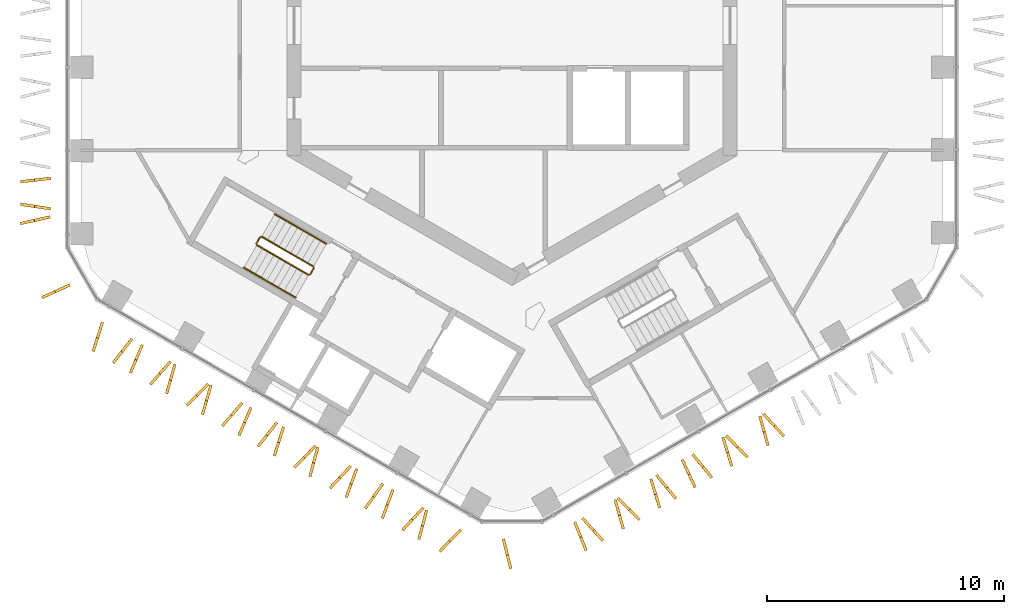
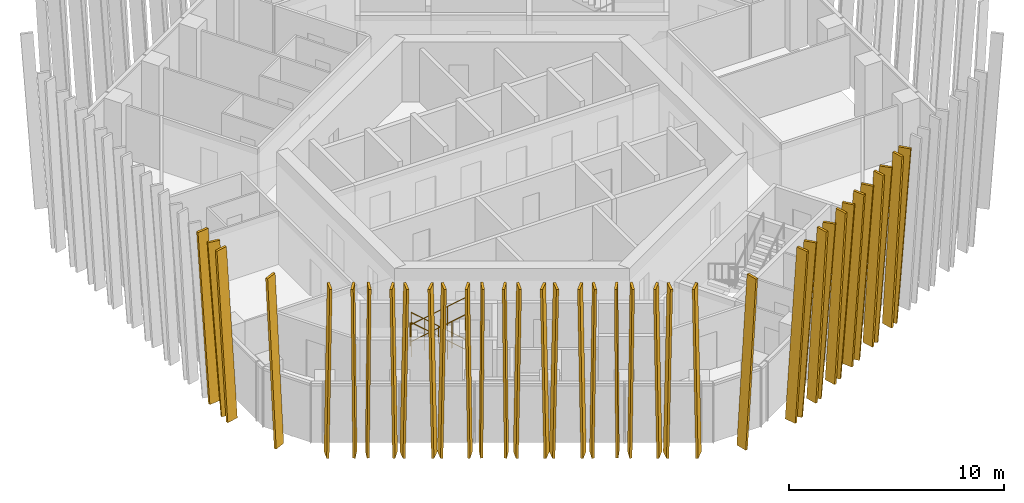
# One storey, part 18 of 21: 37 shading devices, 8 railings.
"""IFC4 building model written with IfcOpenShell, lengths in metres."""

import ifcopenshell
import ifcopenshell.guid

model = None  # the IFC model being written
_history = None  # IfcOwnerHistory: only IFC2X3 demands one
_inside = {}  # id of a spatial element -> (the spatial element, [elements in it])
_under = {}  # id of a project, library or spatial element -> (it, [spatial elements below it])
_declared = {}  # id of a project -> (the project, [libraries it declares])
_typed = {}  # id of a type object -> (the type object, [elements of that type])
_made_of = {}  # id of a material, layer set ... -> (it, [elements and type objects made of it])


def new_model(schema):
    """Start an empty IFC model of exactly this schema.

    Asked for "IFC4X3", IfcOpenShell would pick the latest addendum, in which some entities
    have other attributes; the version numbers below select the first issue.
    IFC2X3 requires an IfcOwnerHistory on every rooted entity: one is made here for all.
    """
    global model, _history
    if schema == "IFC4X3":
        model = ifcopenshell.file(schema_version=(4, 3, 0, 0))
    else:
        model = ifcopenshell.file(schema=schema)
    _inside.clear()
    _under.clear()
    _declared.clear()
    _typed.clear()
    _made_of.clear()
    _history = None
    if model.schema == "IFC2X3":
        org = make("IfcOrganization", Name="unknown")
        user = make(
            "IfcPersonAndOrganization",
            ThePerson=make("IfcPerson", FamilyName="unknown"),
            TheOrganization=org,
        )
        app = make(
            "IfcApplication",
            ApplicationDeveloper=org,
            Version="unknown",
            ApplicationFullName="unknown",
            ApplicationIdentifier="unknown",
        )
        _history = make(
            "IfcOwnerHistory",
            OwningUser=user,
            OwningApplication=app,
            ChangeAction="ADDED",
            CreationDate=0,
        )
    return model


def make(cls, **values):
    """One entity of the class cls with the attributes given. An attribute that is None is left unset."""
    return model.create_entity(
        cls, **{name: value for name, value in values.items() if value is not None}
    )


def rooted(cls, **values):
    """An entity with a GlobalId (a new one), such as an element, a storey or a relation."""
    return make(cls, GlobalId=ifcopenshell.guid.new(), OwnerHistory=_history, **values)


def si_unit(unit_type, name, prefix=None):
    """IfcSIUnit, for example si_unit("LENGTHUNIT", "METRE", prefix="MILLI")."""
    return make("IfcSIUnit", UnitType=unit_type, Prefix=prefix, Name=name)


def assignment(units):
    """IfcUnitAssignment: the units of a project."""
    return None if units is None else make("IfcUnitAssignment", Units=units)


def point(xyz):
    """IfcCartesianPoint."""
    return None if xyz is None else make("IfcCartesianPoint", Coordinates=xyz)


def direction(xyz):
    """IfcDirection."""
    return None if xyz is None else make("IfcDirection", DirectionRatios=xyz)


def frame(location, z_axis=None, x_axis=None):
    """IfcAxis2Placement3D, a coordinate frame: its origin and axes. An axis left out is left unset."""
    return make(
        "IfcAxis2Placement3D",
        Location=point(location),
        Axis=direction(z_axis),
        RefDirection=direction(x_axis),
    )


def frame_2d(location, x_axis=None):
    """IfcAxis2Placement2D, a coordinate frame in the plane: its origin and x axis."""
    return make(
        "IfcAxis2Placement2D", Location=point(location), RefDirection=direction(x_axis)
    )


def origin():
    """The frame at (0, 0, 0) with its axes left unset."""
    return frame((0.0, 0.0, 0.0))


def origin_2d():
    """The frame at (0, 0) in the plane with its x axis left unset."""
    return frame_2d((0.0, 0.0))


def place(relative_to, where):
    """IfcLocalPlacement: puts the frame where relative to a parent placement (None: the world)."""
    return make(
        "IfcLocalPlacement", PlacementRelTo=relative_to, RelativePlacement=where
    )


def context(
    kind, dimensions, precision=None, world=None, true_north=None, identifier=None
):
    """IfcGeometricRepresentationContext, for example the 3D "Model" context."""
    return make(
        "IfcGeometricRepresentationContext",
        ContextIdentifier=identifier,
        ContextType=kind,
        CoordinateSpaceDimension=dimensions,
        Precision=precision,
        WorldCoordinateSystem=world,
        TrueNorth=true_north,
    )


def subcontext(parent, identifier, kind, view, scale=None):
    """IfcGeometricRepresentationSubContext, for example "Body" below "Model"."""
    return make(
        "IfcGeometricRepresentationSubContext",
        ContextIdentifier=identifier,
        ContextType=kind,
        ParentContext=parent,
        TargetScale=scale,
        TargetView=view,
    )


def project(units=None, contexts=None):
    """IfcProject with its units and contexts."""
    return rooted(
        "IfcProject",
        Name="project",
        RepresentationContexts=contexts,
        UnitsInContext=assignment(units),
    )


def spatial(cls, under=None, at=None, **own):
    """A site, building, storey or space (cls), placed at a placement, below another one or the project."""
    s = rooted(cls, ObjectPlacement=at, **own)
    if under is not None:
        _under.setdefault(under.id(), (under, []))[1].append(s)
    return s


def polyline(points):
    """IfcPolyline through the points."""
    return make("IfcPolyline", Points=[point(p) for p in points])


def profile(cls, at=None, kind="AREA", **sizes):
    """A parametric profile (cls). Its sizes go by their IFC names, for example OverallWidth=200.0."""
    return make(cls, ProfileType=kind, Position=at, **sizes)


def circle(**sizes):
    """IfcCircleProfileDef."""
    return profile("IfcCircleProfileDef", **sizes)


def outline(outer, holes=None, kind="AREA"):
    """IfcArbitraryClosedProfileDef: a profile drawn as a closed curve; with holes, ...WithVoids."""
    if holes is None:
        return make("IfcArbitraryClosedProfileDef", ProfileType=kind, OuterCurve=outer)
    return make(
        "IfcArbitraryProfileDefWithVoids",
        ProfileType=kind,
        OuterCurve=outer,
        InnerCurves=holes,
    )


def extrude(swept, where, along, depth):
    """IfcExtrudedAreaSolid: the profile swept, set in the frame where, extruded along a direction by depth."""
    return make(
        "IfcExtrudedAreaSolid",
        SweptArea=swept,
        Position=where,
        ExtrudedDirection=direction(along),
        Depth=depth,
    )


def shape(context_of_items, identifier, shape_type, items):
    """IfcShapeRepresentation: the items that make up one representation, for example the "Body"."""
    return make(
        "IfcShapeRepresentation",
        ContextOfItems=context_of_items,
        RepresentationIdentifier=identifier,
        RepresentationType=shape_type,
        Items=items,
    )


def material(Name=None, Category=None):
    """IfcMaterial."""
    return make("IfcMaterial", Name=Name, Category=Category)


def layer(
    of_material, thickness, ventilated=None, Name=None, Category=None, Priority=None
):
    """IfcMaterialLayer: one layer of a wall or slab, of a material (None: an air gap)."""
    return make(
        "IfcMaterialLayer",
        Material=of_material,
        LayerThickness=thickness,
        IsVentilated=ventilated,
        Name=Name,
        Category=Category,
        Priority=Priority,
    )


def layer_set(layers, Name=None):
    """IfcMaterialLayerSet."""
    return make("IfcMaterialLayerSet", MaterialLayers=layers, LayerSetName=Name)


def made_of(thing, what):
    """Note that an element or type object is made of a material, layer set ...; save() writes the relation."""
    if what is not None:
        _made_of.setdefault(what.id(), (what, []))[1].append(thing)
    return thing


def type_object(cls, material=None, **own):
    """A type object (cls), such as IfcWallType, which elements share."""
    return made_of(rooted(cls, **own), material)


def element(
    cls,
    number,
    at=None,
    inside=None,
    cuts=None,
    type_object=None,
    material=None,
    context=None,
    identifier="Body",
    shape_type=None,
    held_by="IfcProductDefinitionShape",
    body=None,
    shapes=None,
    **own,
):
    """One element of the class cls, such as IfcWall. Its Tag is "e" and its number.

    at: its placement. inside: the storey or other place that contains it. cuts: it is an
    opening in that element (IfcRelVoidsElement). A single representation is given by context,
    identifier, shape_type and body (its items); several are given by shapes. held_by: the class
    of the entity that holds the representations. save() writes the other relations.
    """
    e = rooted(cls, Tag="e%d" % number, ObjectPlacement=at, **own)
    if body is not None:
        shapes = [shape(context, identifier, shape_type, body)]
    if shapes is not None:
        e.Representation = make(held_by, Representations=shapes)
    if inside is not None:
        _inside.setdefault(inside.id(), (inside, []))[1].append(e)
    if cuts is not None:
        rooted(
            "IfcRelVoidsElement", RelatingBuildingElement=cuts, RelatedOpeningElement=e
        )
    if type_object is not None:
        _typed.setdefault(type_object.id(), (type_object, []))[1].append(e)
    return made_of(e, material)


def aggregate(whole, parts):
    """IfcRelAggregates: a whole, such as a stair, and the parts it consists of."""
    return rooted("IfcRelAggregates", RelatingObject=whole, RelatedObjects=parts)


def save(model, path):
    """Write the relations noted so far, then the file.

    IfcRelAggregates (storeys below a building ...), IfcRelContainedInSpatialStructure (elements
    in a storey), IfcRelDefinesByType, IfcRelAssociatesMaterial and IfcRelDeclares: one each for
    every whole, place, type object, material and project.
    """
    for whole, parts in _under.values():
        aggregate(whole, parts)
    for where, things in _inside.values():
        rooted(
            "IfcRelContainedInSpatialStructure",
            RelatedElements=things,
            RelatingStructure=where,
        )
    for kind, things in _typed.values():
        rooted("IfcRelDefinesByType", RelatedObjects=things, RelatingType=kind)
    for what, things in _made_of.values():
        rooted("IfcRelAssociatesMaterial", RelatedObjects=things, RelatingMaterial=what)
    for by, libraries in _declared.values():
        rooted("IfcRelDeclares", RelatingContext=by, RelatedDefinitions=libraries)
    model.write(path)


model = new_model("IFC4")

# Units and contexts
model_context = context("Model", 3, precision=1e-05, world=origin(), true_north=direction((0.0, 1.0)))
body_context = subcontext(model_context, "Body", "Model", "MODEL_VIEW")
ifc_project = project(units=[si_unit("LENGTHUNIT", "METRE"), si_unit("AREAUNIT", "SQUARE_METRE"), si_unit("VOLUMEUNIT", "CUBIC_METRE"), si_unit("PLANEANGLEUNIT", "RADIAN"), si_unit("MASSUNIT", "GRAM", prefix="KILO")], contexts=[model_context])

# Site, building, storey
site_placement = place(None, origin())
site = spatial("IfcSite", under=ifc_project, at=site_placement, CompositionType="ELEMENT")
building_placement = place(site_placement, origin())
building = spatial("IfcBuilding", under=site, at=building_placement, Name="Ayvan Gate Tower", CompositionType="ELEMENT")
storey_placement = place(building_placement, frame((0.0, 0.0, 152.699951171875)))
storey = spatial("IfcBuildingStorey", under=building, at=storey_placement, Name="L40", CompositionType="ELEMENT", Elevation=152.699951171875)

# Shading devices
ifc_material_1 = material(Name="Bronze anodised aluminium", Category="aluminium")
ifc_layer = layer(ifc_material_1, 0.1201171875)
ifc_layer_set = layer_set([ifc_layer], Name="Bronze anodised aluminium")
shading_device_type = type_object("IfcShadingDeviceType", Name="Bronze fin 600 x 120", PredefinedType="USERDEFINED", material=ifc_layer_set)
shading_device_1_placement = place(storey_placement, frame((-19.469970703125, -6.38232421875, 0.0), z_axis=(-0.11228438272, 0.993676104321, 0.000130764566), x_axis=(-0.993676112816, -0.112284383679, -2.986e-09)))
element("IfcShadingDevice", 1, at=shading_device_1_placement, inside=storey, type_object=shading_device_type, Name="Bronze fin FG15.3.39", ObjectType="FIN", PredefinedType="USERDEFINED", context=body_context, shape_type="SweptSolid", body=[
    extrude(outline(polyline([(0.0, 0.0), (0.6002297933363687, 1.6940658945086007e-21), (1.2885701840233423, 10.080078215029282), (0.6885829873942042, 10.080078211445333), (0.0, 0.0)])), origin(), (0.0, 0.0, -1.0), 0.1201171875),
])
shading_device_2_placement = place(storey_placement, frame((-19.4619140625, -7.6708984375, 0.0), z_axis=(0.149962093267, 0.988691738378, 0.000130558426), x_axis=(-0.988691746805, 0.149962094541, 3.0244e-08)))
element("IfcShadingDevice", 2, at=shading_device_2_placement, inside=storey, type_object=shading_device_type, Name="Bronze fin FG15.3.40", ObjectType="FIN", PredefinedType="USERDEFINED", context=body_context, shape_type="SweptSolid", body=[
    extrude(outline(polyline([(0.0, 0.0), (0.600026121955058, -1.6940658945086007e-21), (1.288297116661535, 10.08007817194699), (0.6884757626879867, 10.080078208234951), (0.0, 0.0)])), origin(), (0.0, 0.0, -1.0), 0.1201171875),
])
shading_device_3_placement = place(storey_placement, frame((-19.502197265625, -8.013671875, 0.0), z_axis=(-0.215443888819, 0.976516209945, 0.000149949447), x_axis=(-0.976516220925, -0.215443891237, -2.9791e-08)))
element("IfcShadingDevice", 3, at=shading_device_3_placement, inside=storey, type_object=shading_device_type, Name="Bronze fin FG15.3.41", ObjectType="FIN", PredefinedType="USERDEFINED", context=body_context, shape_type="SweptSolid", body=[
    extrude(outline(polyline([(0.0, 0.0), (0.6000021359089754, 3.3881317890172014e-21), (1.2883942157924773, 10.080078276706706), (0.6883394812772429, 10.0800782409561), (0.0, 0.0)])), origin(), (0.0, 0.0, -1.0), 0.1201171875),
])
shading_device_4_placement = place(storey_placement, frame((-18.685546875, -10.8876953125, 0.0), z_axis=(-0.41386425998, 0.910338593485, 0.000139722655), x_axis=(-0.910338602371, -0.41386426402, 0.0)))
element("IfcShadingDevice", 4, at=shading_device_4_placement, inside=storey, type_object=shading_device_type, Name="Bronze fin FG15.4.42", ObjectType="FIN", PredefinedType="USERDEFINED", context=body_context, shape_type="SweptSolid", body=[
    extrude(outline(polyline([(0.0, 0.0), (0.5999334497101456, 0.0), (1.2882042245908198, 10.080078223393762), (0.6882707748806743, 10.080078223393762), (0.0, 0.0)])), origin(), (0.0, 0.0, -1.0), 0.1201171875),
])
shading_device_5_placement = place(storey_placement, frame((-17.3408203125, -12.504150390625, 0.0), z_axis=(-0.951056480771, 0.309017068298, 0.000147934477), x_axis=(-0.309017071676, -0.951056491178, 1.9327e-08)))
element("IfcShadingDevice", 5, at=shading_device_5_placement, inside=storey, type_object=shading_device_type, Name="Bronze fin FG15.5.43", ObjectType="FIN", PredefinedType="USERDEFINED", context=body_context, shape_type="SweptSolid", body=[
    extrude(outline(polyline([(0.0, 0.0), (0.5998933050015318, 6.776263578034403e-21), (1.2884297318503246, 10.080078210397655), (0.6882287917016117, 10.08007823359202), (0.0, 0.0)])), origin(), (0.0, 0.0, -1.0), 0.1201171875),
])
shading_device_6_placement = place(storey_placement, frame((-16.088623046875, -13.181884765625, 0.0), z_axis=(-0.788002772276, 0.61567167284, 0.000148820701), x_axis=(-0.615671679655, -0.788002781004, 1.8639e-08)))
element("IfcShadingDevice", 6, at=shading_device_6_placement, inside=storey, type_object=shading_device_type, Name="Bronze fin FG15.5.44", ObjectType="FIN", PredefinedType="USERDEFINED", context=body_context, shape_type="SweptSolid", body=[
    extrude(outline(polyline([(0.0, 0.0), (0.600066562041916, 6.776263578034403e-21), (1.2883074396751562, 10.080078212611985), (0.6884332611246962, 10.080078234977709), (0.0, 0.0)])), origin(), (0.0, 0.0, -1.0), 0.1201171875),
])
shading_device_7_placement = place(storey_placement, frame((-15.658935546875, -13.44482421875, 0.0), z_axis=(-0.921413097214, 0.388584459191, 0.000149525532), x_axis=(-0.388584463537, -0.921413107513, -1.1823e-08)))
element("IfcShadingDevice", 7, at=shading_device_7_placement, inside=storey, type_object=shading_device_type, Name="Bronze fin FG15.5.45", ObjectType="FIN", PredefinedType="USERDEFINED", context=body_context, shape_type="SweptSolid", body=[
    extrude(outline(polyline([(0.0, 0.0), (0.5998968354707936, -6.776263578034403e-21), (1.288410524372769, 10.080078252917723), (0.6882887345300239, 10.080078238729689), (0.0, 0.0)])), origin(), (0.0, 0.0, -1.0), 0.1201171875),
])
shading_device_8_placement = place(storey_placement, frame((-14.45849609375, -14.13623046875, 0.0), z_axis=(-0.750923341134, 0.660389370176, 0.000124493597), x_axis=(-0.660389375295, -0.750923346952, -1.6729e-08)))
element("IfcShadingDevice", 8, at=shading_device_8_placement, inside=storey, type_object=shading_device_type, Name="Bronze fin FG15.5.46", ObjectType="FIN", PredefinedType="USERDEFINED", context=body_context, shape_type="SweptSolid", body=[
    extrude(outline(polyline([(0.0, 0.0), (0.5999183425854699, 6.776263578034403e-21), (1.2883243942173304, 10.080078224665964), (0.6882227207366085, 10.080078204591059), (0.0, 0.0)])), origin(), (0.0, 0.0, -1.0), 0.1201171875),
])
shading_device_9_placement = place(storey_placement, frame((-14.28662109375, -14.28466796875, 0.0), z_axis=(-0.961891577143, 0.273431108223, 0.000151253904), x_axis=(-0.273431111351, -0.961891588146, 0.0)))
element("IfcShadingDevice", 9, at=shading_device_9_placement, inside=storey, type_object=shading_device_type, Name="Bronze fin FG15.5.47", ObjectType="FIN", PredefinedType="USERDEFINED", context=body_context, shape_type="SweptSolid", body=[
    extrude(outline(polyline([(0.0, 0.0), (0.6000140188486778, 0.0), (1.2884291971716277, 10.080078240304726), (0.6884151783229502, 10.080078240304726), (0.0, 0.0)])), origin(), (0.0, 0.0, -1.0), 0.1201171875),
])
shading_device_10_placement = place(storey_placement, frame((-12.861083984375, -15.079345703125, 0.0), z_axis=(-0.707106772787, 0.707106772787, 0.00015413585), x_axis=(-0.707106781187, -0.707106781187, 0.0)))
element("IfcShadingDevice", 10, at=shading_device_10_placement, inside=storey, type_object=shading_device_type, Name="Bronze fin FG15.5.48", ObjectType="FIN", PredefinedType="USERDEFINED", context=body_context, shape_type="SweptSolid", body=[
    extrude(outline(polyline([(0.0, 0.0), (0.600074016456162, 0.0), (1.2883637470691416, 10.080078244740546), (0.6882897306129798, 10.080078244740546), (0.0, 0.0)])), origin(), (0.0, 0.0, -1.0), 0.1201171875),
])
shading_device_11_placement = place(storey_placement, frame((-12.764404296875, -15.160400390625, 0.0), z_axis=(-0.960145670494, 0.279500032046, 0.000153353819), x_axis=(-0.279500035333, -0.960145681784, 0.0)))
element("IfcShadingDevice", 11, at=shading_device_11_placement, inside=storey, type_object=shading_device_type, Name="Bronze fin FG15.5.49", ObjectType="FIN", PredefinedType="USERDEFINED", context=body_context, shape_type="SweptSolid", body=[
    extrude(outline(polyline([(0.0, 0.0), (0.6000879719932837, 3.3881317890172014e-21), (1.2884677765791752, 10.080078243528586), (0.6883798045858915, 10.080078243528586), (0.0, 0.0)])), origin(), (0.0, 0.0, -1.0), 0.1201171875),
])
shading_device_12_placement = place(storey_placement, frame((-11.43310546875, -15.880126953125, 0.0), z_axis=(-0.757645828693, 0.652665901839, 0.000137262363), x_axis=(-0.652665907987, -0.75764583583, 0.0)))
element("IfcShadingDevice", 12, at=shading_device_12_placement, inside=storey, type_object=shading_device_type, Name="Bronze fin FG15.5.50", ObjectType="FIN", PredefinedType="USERDEFINED", context=body_context, shape_type="SweptSolid", body=[
    extrude(outline(polyline([(0.0, 0.0), (0.600003091486278, 0.0), (1.2883958394700903, 10.080078219959159), (0.6883927479838121, 10.080078219959159), (0.0, 0.0)])), origin(), (0.0, 0.0, -1.0), 0.1201171875),
])
shading_device_13_placement = place(storey_placement, frame((-11.070068359375, -16.09130859375, 0.0), z_axis=(-0.917367435227, 0.398041415995, 0.000141198432), x_axis=(-0.398041419963, -0.917367444372, 0.0)))
element("IfcShadingDevice", 13, at=shading_device_13_placement, inside=storey, type_object=shading_device_type, Name="Bronze fin FG15.5.51", ObjectType="FIN", PredefinedType="USERDEFINED", context=body_context, shape_type="SweptSolid", body=[
    extrude(outline(polyline([(0.0, 0.0), (0.5998610176607855, 0.0), (1.2882586200968444, 10.080078225483248), (0.6883976024360587, 10.080078225483248), (0.0, 0.0)])), origin(), (0.0, 0.0, -1.0), 0.1201171875),
])
shading_device_14_placement = place(storey_placement, frame((-9.96875, -16.716552734375, 0.0), z_axis=(-0.783244864614, 0.621713326301, 0.000148175122), x_axis=(-0.621713333126, -0.783244873212, 0.0)))
element("IfcShadingDevice", 14, at=shading_device_14_placement, inside=storey, type_object=shading_device_type, Name="Bronze fin FG15.5.52", ObjectType="FIN", PredefinedType="USERDEFINED", context=body_context, shape_type="SweptSolid", body=[
    extrude(outline(polyline([(0.0, 0.0), (0.6000303598511266, 0.0), (1.288334208935566, 10.080078235658428), (0.6883038490844395, 10.080078235658428), (0.0, 0.0)])), origin(), (0.0, 0.0, -1.0), 0.1201171875),
])
shading_device_15_placement = place(storey_placement, frame((-9.69970703125, -16.91748046875, 0.0), z_axis=(-0.952282278249, 0.305218678926, 0.000143413156), x_axis=(-0.305218682065, -0.952282288042, 0.0)))
element("IfcShadingDevice", 15, at=shading_device_15_placement, inside=storey, type_object=shading_device_type, Name="Bronze fin FG15.5.53", ObjectType="FIN", PredefinedType="USERDEFINED", context=body_context, shape_type="SweptSolid", body=[
    extrude(outline(polyline([(0.0, 0.0), (0.5999156654216375, -3.3881317890172014e-21), (1.2883298453860972, 10.080078228660165), (0.6884141799644599, 10.080078228660165), (0.0, 0.0)])), origin(), (0.0, 0.0, -1.0), 0.1201171875),
])
shading_device_16_placement = place(storey_placement, frame((-8.331787109375, -17.69140625, 0.0), z_axis=(-0.712779560242, 0.701388106083, 0.000152140411), x_axis=(-0.7013881142, -0.712779568491, 0.0)))
element("IfcShadingDevice", 16, at=shading_device_16_placement, inside=storey, type_object=shading_device_type, Name="Bronze fin FG15.5.54", ObjectType="FIN", PredefinedType="USERDEFINED", context=body_context, shape_type="SweptSolid", body=[
    extrude(outline(polyline([(0.0, 0.0), (0.6000934845893446, 0.0), (1.2884178987149633, 10.0800782416603), (0.6883244141256185, 10.0800782416603), (0.0, 0.0)])), origin(), (0.0, 0.0, -1.0), 0.1201171875),
])
shading_device_17_placement = place(storey_placement, frame((-8.2548828125, -17.773681640625, 0.0), z_axis=(-0.965385536869, 0.260827030193, 0.000159764589), x_axis=(-0.260827033523, -0.965385549189, -8.48e-09)))
element("IfcShadingDevice", 17, at=shading_device_17_placement, inside=storey, type_object=shading_device_type, Name="Bronze fin FG15.5.55", ObjectType="FIN", PredefinedType="USERDEFINED", context=body_context, shape_type="SweptSolid", body=[
    extrude(outline(polyline([(0.0, 0.0), (0.5998741824134138, -6.776263578034403e-21), (1.288314805782097, 10.080078264570195), (0.688204933537338, 10.080078254394632), (0.0, 0.0)])), origin(), (0.0, 0.0, -1.0), 0.1201171875),
])
shading_device_18_placement = place(storey_placement, frame((-6.845947265625, -18.540771484375, 0.0), z_axis=(-0.729327801911, 0.684164406646, 0.000148454881), x_axis=(-0.684164414185, -0.729327809947, -1.364e-09)))
element("IfcShadingDevice", 18, at=shading_device_18_placement, inside=storey, type_object=shading_device_type, Name="Bronze fin FG15.5.56", ObjectType="FIN", PredefinedType="USERDEFINED", context=body_context, shape_type="SweptSolid", body=[
    extrude(outline(polyline([(0.0, 0.0), (0.6002073505603356, 6.776263578034403e-21), (1.2883781428169805, 10.080078237833519), (0.6885158831316773, 10.080078236197094), (0.0, 0.0)])), origin(), (0.0, 0.0, -1.0), 0.1201171875),
])
shading_device_19_placement = place(storey_placement, frame((-6.612060546875, -18.682861328125, 0.0), z_axis=(-0.938353528778, 0.345677069687, 0.000136096066), x_axis=(-0.345677072891, -0.938353537467, -2.5981e-08)))
element("IfcShadingDevice", 19, at=shading_device_19_placement, inside=storey, type_object=shading_device_type, Name="Bronze fin FG15.5.57", ObjectType="FIN", PredefinedType="USERDEFINED", context=body_context, shape_type="SweptSolid", body=[
    extrude(outline(polyline([(0.0, 0.0), (0.6000167893938193, 0.0), (1.2884250360086562, 10.080078251827102), (0.6884926404314605, 10.080078220651016), (0.0, 0.0)])), origin(), (0.0, 0.0, -1.0), 0.1201171875),
])
shading_device_20_placement = place(storey_placement, frame((-5.49609375, -19.29150390625, 0.0), z_axis=(-0.815023637584, 0.579427688427, 0.000155120836), x_axis=(-0.579427695399, -0.81502364739, 0.0)))
element("IfcShadingDevice", 20, at=shading_device_20_placement, inside=storey, type_object=shading_device_type, Name="Bronze fin FG15.5.58", ObjectType="FIN", PredefinedType="USERDEFINED", context=body_context, shape_type="SweptSolid", body=[
    extrude(outline(polyline([(0.0, 0.0), (0.5999993662036092, 6.776263578034403e-21), (1.2881531017391434, 10.080078246275814), (0.6881537355355343, 10.080078246275814), (0.0, 0.0)])), origin(), (0.0, 0.0, -1.0), 0.1201171875),
])
shading_device_21_placement = place(storey_placement, frame((-5.081787109375, -19.56494140625, 0.0), z_axis=(-0.936946327557, 0.34947325027, 0.000163166514), x_axis=(-0.349473254922, -0.936946340029, 0.0)))
element("IfcShadingDevice", 21, at=shading_device_21_placement, inside=storey, type_object=shading_device_type, Name="Bronze fin FG15.5.59", ObjectType="FIN", PredefinedType="USERDEFINED", context=body_context, shape_type="SweptSolid", body=[
    extrude(outline(polyline([(0.0, 0.0), (0.6000939812171338, 0.0), (1.288429049480317, 10.080078259182532), (0.6883350682631831, 10.080078259182532), (0.0, 0.0)])), origin(), (0.0, 0.0, -1.0), 0.1201171875),
])
shading_device_22_placement = place(storey_placement, frame((-3.785888671875, -20.30712890625, 0.0), z_axis=(-0.730310691559, 0.683115125976, 0.000135859226), x_axis=(-0.68311513228, -0.730310698299, 0.0)))
element("IfcShadingDevice", 22, at=shading_device_22_placement, inside=storey, type_object=shading_device_type, Name="Bronze fin FG15.5.60", ObjectType="FIN", PredefinedType="USERDEFINED", context=body_context, shape_type="SweptSolid", body=[
    extrude(outline(polyline([(0.0, 0.0), (0.6000629908557017, 0.0), (1.2884365882270743, 10.080078218027678), (0.6883735973713726, 10.080078218027678), (0.0, 0.0)])), origin(), (0.0, 0.0, -1.0), 0.1201171875),
])
shading_device_23_placement = place(storey_placement, frame((-3.656982421875, -20.42822265625, 0.0), z_axis=(-0.965385536869, 0.260827030193, 0.000159764589), x_axis=(-0.260827033521, -0.96538554919, 8.476e-09)))
element("IfcShadingDevice", 23, at=shading_device_23_placement, inside=storey, type_object=shading_device_type, Name="Bronze fin FG15.5.61", ObjectType="FIN", PredefinedType="USERDEFINED", context=body_context, shape_type="SweptSolid", body=[
    extrude(outline(polyline([(0.0, 0.0), (0.600109872244759, -3.3881317890172014e-21), (1.2883149767016, 10.080078242725312), (0.6884407942881862, 10.080078252896879), (0.0, 0.0)])), origin(), (0.0, 0.0, -1.0), 0.1201171875),
])
shading_device_24_placement = place(storey_placement, frame((-2.1982421875, -21.232177734375, 0.0), z_axis=(-0.713386390981, 0.700770887204, 0.000144258516), x_axis=(-0.700770894496, -0.713386398404, 0.0)))
element("IfcShadingDevice", 24, at=shading_device_24_placement, inside=storey, type_object=shading_device_type, Name="Bronze fin FG15.5.62", ObjectType="FIN", PredefinedType="USERDEFINED", context=body_context, shape_type="SweptSolid", body=[
    extrude(outline(polyline([(0.0, 0.0), (0.5999252531063581, 0.0), (1.2884279833621672, 10.080078229885833), (0.6885027302558091, 10.080078229885833), (0.0, 0.0)])), origin(), (0.0, 0.0, -1.0), 0.1201171875),
])
shading_device_25_placement = place(storey_placement, frame((-0.42138671875, -21.683349609375, 0.0), z_axis=(-0.970571665235, -0.240812416521, 0.000150640174), x_axis=(0.240812419253, -0.970571676247, 0.0)))
element("IfcShadingDevice", 25, at=shading_device_25_placement, inside=storey, type_object=shading_device_type, Name="Bronze fin FG15.6.63", ObjectType="FIN", PredefinedType="USERDEFINED", context=body_context, shape_type="SweptSolid", body=[
    extrude(outline(polyline([(0.0, 0.0), (0.6001818778622712, 0.0), (1.288529056017717, 10.080078239370897), (0.6883471781554458, 10.080078239370897), (0.0, 0.0)])), origin(), (0.0, 0.0, -1.0), 0.1201171875),
])
shading_device_26_placement = place(storey_placement, frame((2.591552734375, -20.974853515625, 0.0), z_axis=(-0.928041128551, -0.372477708544, 0.000142672957), x_axis=(0.372477712338, -0.928041137995, 2.6933e-08)))
element("IfcShadingDevice", 26, at=shading_device_26_placement, inside=storey, type_object=shading_device_type, Name="Bronze fin FG15.7.64", ObjectType="FIN", PredefinedType="USERDEFINED", context=body_context, shape_type="SweptSolid", body=[
    extrude(outline(polyline([(0.0, 0.0), (0.6001102100265352, -3.3881317890172014e-21), (1.2883095833795541, 10.080078192894588), (0.6882903102945076, 10.080078225217914), (0.0, 0.0)])), origin(), (0.0, 0.0, -1.0), 0.1201171875),
])
shading_device_27_placement = place(storey_placement, frame((2.92724609375, -20.826416015625, 0.0), z_axis=(-0.74209936984, -0.670289863931, 0.000153604444), x_axis=(0.670289871836, -0.742099378597, -2.3192e-08)))
element("IfcShadingDevice", 27, at=shading_device_27_placement, inside=storey, type_object=shading_device_type, Name="Bronze fin FG15.7.65", ObjectType="FIN", PredefinedType="USERDEFINED", context=body_context, shape_type="SweptSolid", body=[
    extrude(outline(polyline([(0.0, 0.0), (0.5999894251647584, 0.0), (1.288393197650477, 10.080078273796333), (0.6882401274974774, 10.080078245963005), (0.0, 0.0)])), origin(), (0.0, 0.0, -1.0), 0.1201171875),
])
shading_device_28_placement = place(storey_placement, frame((4.29541015625, -20.021484375, 0.0), z_axis=(-0.963718738351, -0.266919777225, 0.000160866774), x_axis=(0.266919780678, -0.963718750821, -8.734e-09)))
element("IfcShadingDevice", 28, at=shading_device_28_placement, inside=storey, type_object=shading_device_type, Name="Bronze fin FG15.7.66", ObjectType="FIN", PredefinedType="USERDEFINED", context=body_context, shape_type="SweptSolid", body=[
    extrude(outline(polyline([(0.0, 0.0), (0.600134056840397, 3.3881317890172014e-21), (1.2883880024961902, 10.0800782666794), (0.6884892285539427, 10.080078256198417), (0.0, 0.0)])), origin(), (0.0, 0.0, -1.0), 0.1201171875),
])
shading_device_29_placement = place(storey_placement, frame((4.423095703125, -19.98583984375, 0.0), z_axis=(-0.708631032784, -0.70557921955, 0.000155931631), x_axis=(0.705579228126, -0.708631041401, -2.2381e-08)))
element("IfcShadingDevice", 29, at=shading_device_29_placement, inside=storey, type_object=shading_device_type, Name="Bronze fin FG15.7.67", ObjectType="FIN", PredefinedType="USERDEFINED", context=body_context, shape_type="SweptSolid", body=[
    extrude(outline(polyline([(0.0, 0.0), (0.6000755995339575, 0.0), (1.2883631293969897, 10.080078276382071), (0.6884605354883744, 10.080078249525075), (0.0, 0.0)])), origin(), (0.0, 0.0, -1.0), 0.1201171875),
])
shading_device_30_placement = place(storey_placement, frame((5.8017578125, -19.1435546875, 0.0), z_axis=(-0.956993588737, -0.290109025837, 0.000155705858), x_axis=(0.290109029354, -0.956993600338, 0.0)))
element("IfcShadingDevice", 30, at=shading_device_30_placement, inside=storey, type_object=shading_device_type, Name="Bronze fin FG15.7.68", ObjectType="FIN", PredefinedType="USERDEFINED", context=body_context, shape_type="SweptSolid", body=[
    extrude(outline(polyline([(0.0, 0.0), (0.600023604961824, -6.776263578034403e-21), (1.2882815606986622, 10.080078247192292), (0.688257955736838, 10.080078247192292), (0.0, 0.0)])), origin(), (0.0, 0.0, -1.0), 0.1201171875),
])
shading_device_31_placement = place(storey_placement, frame((6.04833984375, -19.0078125, 0.0), z_axis=(-0.769487224175, -0.638662188442, 0.000144518579), x_axis=(0.638662195114, -0.769487232209, 2.2623e-08)))
element("IfcShadingDevice", 31, at=shading_device_31_placement, inside=storey, type_object=shading_device_type, Name="Bronze fin FG15.7.69", ObjectType="FIN", PredefinedType="USERDEFINED", context=body_context, shape_type="SweptSolid", body=[
    extrude(outline(polyline([(0.0, 0.0), (0.6000488287196248, -6.776263578034403e-21), (1.2884022323328237, 10.080078201116928), (0.6885093270006778, 10.080078228263108), (0.0, 0.0)])), origin(), (0.0, 0.0, -1.0), 0.1201171875),
])
shading_device_32_placement = place(storey_placement, frame((7.133544921875, -18.345947265625, 0.0), z_axis=(-0.90848271673, -0.417922396453, 0.000154744364), x_axis=(0.417922401459, -0.908482727606, 1.3161e-08)))
element("IfcShadingDevice", 32, at=shading_device_32_placement, inside=storey, type_object=shading_device_type, Name="Bronze fin FG15.7.70", ObjectType="FIN", PredefinedType="USERDEFINED", context=body_context, shape_type="SweptSolid", body=[
    extrude(outline(polyline([(0.0, 0.0), (0.5998388072058982, 6.776263578034403e-21), (1.2882245412535955, 10.080078228733651), (0.6881639365067777, 10.080078244525422), (0.0, 0.0)])), origin(), (0.0, 0.0, -1.0), 0.1201171875),
])
shading_device_33_placement = place(storey_placement, frame((7.571533203125, -18.1279296875, 0.0), z_axis=(-0.770318491546, -0.63765931128, 0.000155949753), x_axis=(0.637659319034, -0.770318500913, 0.0)))
element("IfcShadingDevice", 33, at=shading_device_33_placement, inside=storey, type_object=shading_device_type, Name="Bronze fin FG15.7.71", ObjectType="FIN", PredefinedType="USERDEFINED", context=body_context, shape_type="SweptSolid", body=[
    extrude(outline(polyline([(0.0, 0.0), (0.599957293738986, 6.776263578034403e-21), (1.2883728850959264, 10.080078247575393), (0.6884155913569404, 10.080078247575393), (0.0, 0.0)])), origin(), (0.0, 0.0, -1.0), 0.1201171875),
])
shading_device_34_placement = place(storey_placement, frame((8.843505859375, -17.386962890625, 0.0), z_axis=(-0.956676335207, -0.291153516734, 0.000139098768), x_axis=(0.291153519554, -0.956676344461, 2.7074e-08)))
element("IfcShadingDevice", 34, at=shading_device_34_placement, inside=storey, type_object=shading_device_type, Name="Bronze fin FG15.7.72", ObjectType="FIN", PredefinedType="USERDEFINED", context=body_context, shape_type="SweptSolid", body=[
    extrude(outline(polyline([(0.0, 0.0), (0.6000029311104843, 0.0), (1.288404627797676, 10.080078187635364), (0.6884727790894267, 10.080078220121843), (0.0, 0.0)])), origin(), (0.0, 0.0, -1.0), 0.1201171875),
])
shading_device_35_placement = place(storey_placement, frame((8.99462890625, -17.34619140625, 0.0), z_axis=(-0.708732302206, -0.705477504033, 0.000122937845), x_axis=(0.705477509364, -0.708732307562, 0.0)))
element("IfcShadingDevice", 35, at=shading_device_35_placement, inside=storey, type_object=shading_device_type, Name="Bronze fin FG15.7.73", ObjectType="FIN", PredefinedType="USERDEFINED", context=body_context, shape_type="SweptSolid", body=[
    extrude(outline(polyline([(0.0, 0.0), (0.600075605715199, 0.0), (1.2885369411028482, 10.08007820117371), (0.6884613353876492, 10.08007820117371), (0.0, 0.0)])), origin(), (0.0, 0.0, -1.0), 0.1201171875),
])
shading_device_36_placement = place(storey_placement, frame((10.402587890625, -16.49609375, 0.0), z_axis=(-0.963942234324, -0.266111532819, 0.000144870326), x_axis=(0.266111535611, -0.963942244439, 0.0)))
element("IfcShadingDevice", 36, at=shading_device_36_placement, inside=storey, type_object=shading_device_type, Name="Bronze fin FG15.7.74", ObjectType="FIN", PredefinedType="USERDEFINED", context=body_context, shape_type="SweptSolid", body=[
    extrude(outline(polyline([(0.0, 0.0), (0.6000039358804674, 0.0), (1.2882967720179601, 10.080078230777374), (0.6882928361374928, 10.080078230777374), (0.0, 0.0)])), origin(), (0.0, 0.0, -1.0), 0.1201171875),
])
shading_device_37_placement = place(storey_placement, frame((10.5634765625, -16.419189453125, 0.0), z_axis=(-0.739875625765, -0.67274366082, 0.00015882514), x_axis=(0.672743669311, -0.739875635092, 4.5642e-08)))
element("IfcShadingDevice", 37, at=shading_device_37_placement, inside=storey, type_object=shading_device_type, Name="Bronze fin FG15.7.75", ObjectType="FIN", PredefinedType="USERDEFINED", context=body_context, shape_type="SweptSolid", body=[
    extrude(outline(polyline([(0.0, 0.0), (0.6000517416105082, 6.776263578034403e-21), (1.288359522883001, 10.080078193333692), (0.6882913916324096, 10.080078248109698), (0.0, 0.0)])), origin(), (0.0, 0.0, -1.0), 0.1201171875),
])

# Railings
ifc_material_2 = material(Name="Stainless steel balustrade", Category="steel")
railing_type_1 = type_object("IfcRailingType", Name="RL-GUARD-1100", PredefinedType="GUARDRAIL", material=ifc_material_2)
railing_1_placement = place(storey_placement, frame((-8.381103515625, -10.16650390625, 0.170166015625)))
element("IfcRailing", 38, at=railing_1_placement, inside=storey, type_object=railing_type_1, Name="L40 STS2 stair guard 1", PredefinedType="GUARDRAIL", context=body_context, shape_type="SweptSolid", body=[
    extrude(circle(Radius=0.02392578125, at=origin_2d()), frame((0.0, 0.0, 1.076171875), z_axis=(-0.740292969978, 0.427413806696, 0.51892557891), x_axis=(-0.500004791531, -0.866022637375, 0.0)), (0.0, 0.0, 1.0), 2.947998046875),
    extrude(circle(Radius=0.02099609375, at=origin_2d()), origin(), (0.0, 0.0, 1.0), 1.052001953125),
    extrude(circle(Radius=0.02099609375, at=origin_2d()), frame((-0.7275390625, 0.419921875, 0.510009765625)), (0.0, 0.0, 1.0), 1.052001953125),
    extrude(circle(Radius=0.02099609375, at=origin_2d()), frame((-1.454833984375, 0.840087890625, 1.019775390625)), (0.0, 0.0, 1.0), 1.052001953125),
    extrude(circle(Radius=0.02099609375, at=origin_2d()), frame((-2.182373046875, 1.260009765625, 1.52978515625)), (0.0, 0.0, 1.0), 1.052001953125),
])
railing_2_placement = place(storey_placement, frame((-10.6318359375, -8.9248046875, 1.699951171875)))
element("IfcRailing", 39, at=railing_2_placement, inside=storey, type_object=railing_type_1, Name="L40 STS2 stair guard 2", PredefinedType="GUARDRAIL", context=body_context, shape_type="SweptSolid", body=[
    extrude(circle(Radius=0.02392578125, at=origin_2d()), frame((0.0, 0.0, 1.076171875), z_axis=(-0.499949632511, -0.866054481515, 0.0), x_axis=(0.866054481515, -0.499949632511, 0.0)), (0.0, 0.0, 1.0), 0.31005859375),
    extrude(circle(Radius=0.02099609375, at=origin_2d()), origin(), (0.0, 0.0, 1.0), 1.052001953125),
    extrude(circle(Radius=0.02099609375, at=origin_2d()), frame((-0.155029296875, -0.2685546875, 0.0)), (0.0, 0.0, 1.0), 1.052001953125),
])
railing_3_placement = place(storey_placement, frame((-10.7685546875, -9.261474609375, 1.8701171875)))
element("IfcRailing", 40, at=railing_3_placement, inside=storey, type_object=railing_type_1, Name="L40 STS2 stair guard 3", PredefinedType="GUARDRAIL", context=body_context, shape_type="SweptSolid", body=[
    extrude(circle(Radius=0.02392578125, at=origin_2d()), frame((0.0, 0.0, 1.076171875), z_axis=(0.740261155115, -0.427395438142, 0.518986090067), x_axis=(0.500004791531, 0.866022637375, 0.0)), (0.0, 0.0, 1.0), 2.947998046875),
    extrude(circle(Radius=0.02099609375, at=origin_2d()), origin(), (0.0, 0.0, 1.0), 1.052001953125),
    extrude(circle(Radius=0.02099609375, at=origin_2d()), frame((0.7275390625, -0.419921875, 0.510009765625)), (0.0, 0.0, 1.0), 1.052001953125),
    extrude(circle(Radius=0.02099609375, at=origin_2d()), frame((1.454833984375, -0.840087890625, 1.02001953125)), (0.0, 0.0, 1.0), 1.052001953125),
    extrude(circle(Radius=0.02099609375, at=origin_2d()), frame((2.182373046875, -1.260009765625, 1.530029296875)), (0.0, 0.0, 1.0), 1.052001953125),
])
railing_4_placement = place(storey_placement, frame((-8.36279296875, -10.23486328125, 0.0)))
element("IfcRailing", 41, at=railing_4_placement, inside=storey, type_object=railing_type_1, Name="L40 STS2 stair guard 4", PredefinedType="GUARDRAIL", context=body_context, shape_type="SweptSolid", body=[
    extrude(circle(Radius=0.02392578125, at=origin_2d()), frame((0.0, 0.0, 1.076171875), z_axis=(-0.500290723946, -0.86585748916, 0.0), x_axis=(0.86585748916, -0.500290723946, 0.0)), (0.0, 0.0, 1.0), 0.309814453125),
    extrude(circle(Radius=0.02099609375, at=origin_2d()), origin(), (0.0, 0.0, 1.0), 1.052001953125),
    extrude(circle(Radius=0.02099609375, at=origin_2d()), frame((-0.155029296875, -0.268310546875, 0.0)), (0.0, 0.0, 1.0), 1.052001953125),
])
railing_type_2 = type_object("IfcRailingType", Name="RL-HANDRAIL-900", PredefinedType="HANDRAIL", material=ifc_material_2)
railing_5_placement = place(storey_placement, frame((-7.8310546875, -9.2138671875, 0.170166015625)))
element("IfcRailing", 42, at=railing_5_placement, inside=storey, type_object=railing_type_2, Name="L40 STS2 stair handrail 1", PredefinedType="HANDRAIL", context=body_context, shape_type="SweptSolid", body=[
    extrude(circle(Radius=0.02392578125, at=origin_2d()), frame((0.0, 0.0, 0.8759765625), z_axis=(-0.740356597536, 0.427319915356, 0.518912129772), x_axis=(-0.499890179513, -0.866088799389, 0.0)), (0.0, 0.0, 1.0), 1.47412109375),
    extrude(circle(Radius=0.02099609375, at=origin_2d()), origin(), (0.0, 0.0, 1.0), 0.851806640625),
    extrude(circle(Radius=0.02099609375, at=origin_2d()), frame((-0.545654296875, 0.31494140625, 0.38232421875)), (0.0, 0.0, 1.0), 0.851806640625),
    extrude(circle(Radius=0.02099609375, at=origin_2d()), frame((-1.09130859375, 0.6298828125, 0.764892578125)), (0.0, 0.0, 1.0), 0.851806640625),
])
railing_6_placement = place(storey_placement, frame((-8.92236328125, -8.583984375, 0.93505859375)))
element("IfcRailing", 43, at=railing_6_placement, inside=storey, type_object=railing_type_2, Name="L40 STS2 stair handrail 2", PredefinedType="HANDRAIL", context=body_context, shape_type="SweptSolid", body=[
    extrude(circle(Radius=0.02392578125, at=origin_2d()), frame((0.0, 0.0, 0.8759765625), z_axis=(-0.740229329464, 0.427507697325, 0.518939021976), x_axis=(-0.50011940292, -0.865956455501, 0.0)), (0.0, 0.0, 1.0), 1.473876953125),
    extrude(circle(Radius=0.02099609375, at=origin_2d()), origin(), (0.0, 0.0, 1.0), 0.851806640625),
    extrude(circle(Radius=0.02099609375, at=origin_2d()), frame((-0.54541015625, 0.31494140625, 0.38232421875)), (0.0, 0.0, 1.0), 0.851806640625),
    extrude(circle(Radius=0.02099609375, at=origin_2d()), frame((-1.091064453125, 0.630126953125, 0.764892578125)), (0.0, 0.0, 1.0), 0.851806640625),
])
railing_7_placement = place(storey_placement, frame((-11.318603515625, -10.214111328125, 1.8701171875)))
element("IfcRailing", 44, at=railing_7_placement, inside=storey, type_object=railing_type_2, Name="L40 STS2 stair handrail 3", PredefinedType="HANDRAIL", context=body_context, shape_type="SweptSolid", body=[
    extrude(circle(Radius=0.02392578125, at=origin_2d()), frame((0.0, 0.0, 0.8759765625), z_axis=(0.740304193401, -0.427455284825, 0.518875399983), x_axis=(0.500035496587, 0.86600490885, 0.0)), (0.0, 0.0, 1.0), 1.47412109375),
    extrude(circle(Radius=0.02099609375, at=origin_2d()), origin(), (0.0, 0.0, 1.0), 0.851806640625),
    extrude(circle(Radius=0.02099609375, at=origin_2d()), frame((0.545654296875, -0.31494140625, 0.38232421875)), (0.0, 0.0, 1.0), 0.851806640625),
    extrude(circle(Radius=0.02099609375, at=origin_2d()), frame((1.09130859375, -0.630126953125, 0.764892578125)), (0.0, 0.0, 1.0), 0.851806640625),
])
railing_8_placement = place(storey_placement, frame((-10.227294921875, -10.84423828125, 2.635009765625)))
element("IfcRailing", 45, at=railing_8_placement, inside=storey, type_object=railing_type_2, Name="L40 STS2 stair handrail 4", PredefinedType="HANDRAIL", context=body_context, shape_type="SweptSolid", body=[
    extrude(circle(Radius=0.02392578125, at=origin_2d()), frame((0.0, 0.0, 0.8759765625), z_axis=(0.740292964666, -0.42728318766, 0.519033143459), x_axis=(0.499890179513, 0.866088799389, 0.0)), (0.0, 0.0, 1.0), 1.47412109375),
    extrude(circle(Radius=0.02099609375, at=origin_2d()), origin(), (0.0, 0.0, 1.0), 0.851806640625),
    extrude(circle(Radius=0.02099609375, at=origin_2d()), frame((0.545654296875, -0.31494140625, 0.382568359375)), (0.0, 0.0, 1.0), 0.851806640625),
    extrude(circle(Radius=0.02099609375, at=origin_2d()), frame((1.09130859375, -0.6298828125, 0.76513671875)), (0.0, 0.0, 1.0), 0.851806640625),
])

save(model, "model.ifc")
